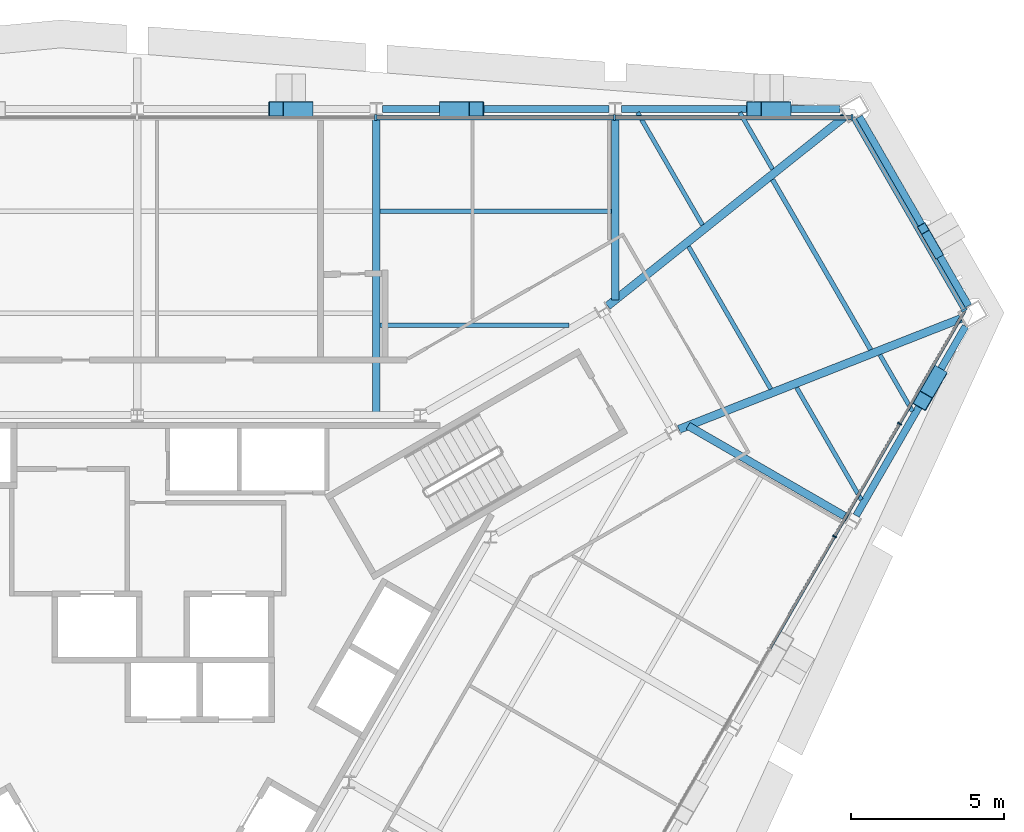
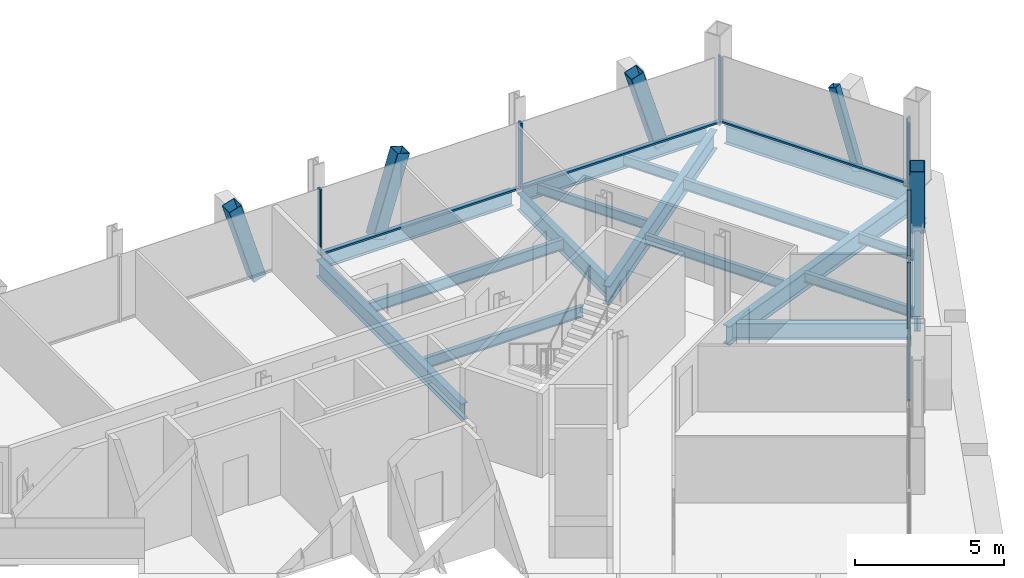
# One storey, part 10 of 17: 17 beams, 17 members, 3 elements without a shape of their own.
"""IFC4 building model written with IfcOpenShell, lengths in metres."""

from ifc_helpers import new_model, si_unit, direction, frame, origin, origin_2d, place, context, subcontext, project, spatial, rectangle, hollow_rectangle, i_section, extrude, material, material_profile, profile_set, type_object, element, aggregate, save


model = new_model("IFC4")

# Units and contexts
model_context = context("Model", 3, precision=1e-05, world=origin(), true_north=direction((0.0, 1.0)))
body_context = subcontext(model_context, "Body", "Model", "MODEL_VIEW")
ifc_project = project(units=[si_unit("LENGTHUNIT", "METRE"), si_unit("AREAUNIT", "SQUARE_METRE"), si_unit("VOLUMEUNIT", "CUBIC_METRE"), si_unit("PLANEANGLEUNIT", "RADIAN"), si_unit("MASSUNIT", "GRAM", prefix="KILO")], contexts=[model_context])

# Site, building, storey
site_placement = place(None, origin())
site = spatial("IfcSite", under=ifc_project, at=site_placement, CompositionType="ELEMENT")
building_placement = place(site_placement, origin())
building = spatial("IfcBuilding", under=site, at=building_placement, Name="Verrane Prism Tower", CompositionType="ELEMENT")
storey_placement = place(building_placement, frame((0.0, 0.0, 182.10009765625)))
storey = spatial("IfcBuildingStorey", under=building, at=storey_placement, Name="L45", CompositionType="ELEMENT", Elevation=182.10009765625)

# Member
ifc_material_1 = material(Name="Steel A500 Grade C", Category="steel")
ifc_material_profile_1 = material_profile(ifc_material_1, hollow_rectangle(XDim=0.3046875, YDim=0.3046875, WallThickness=0.0126953125, InnerFilletRadius=0.00634765625, OuterFilletRadius=0.01904296875, at=origin_2d()), Name="HSS12x12x1/2")
ifc_profile_set_1 = profile_set([ifc_material_profile_1], Name="Steel A500 Grade C")
member_type_1 = type_object("IfcMemberType", Name="Chamfer brace HSS12x12x1/2", PredefinedType="BRACE", material=ifc_profile_set_1)
member_1_placement = place(storey_placement, frame((26.170166015625, 13.30078125, -0.24267578125), z_axis=(-0.143220331286, 0.24790739425, 0.958138748085), x_axis=(-0.865887845823, -0.500238181725, 0.0)))
element("IfcMember", 1, at=member_1_placement, inside=storey, type_object=member_type_1, Name="Chamfer brace NE0 L45", PredefinedType="BRACE", context=body_context, shape_type="SweptSolid", body=[
    extrude(hollow_rectangle(XDim=0.3046875, YDim=0.3046875, WallThickness=0.0126953125, InnerFilletRadius=0.00634765625, OuterFilletRadius=0.01904296875, at=origin_2d()), origin(), (0.0, 0.0, 1.0), 3.243896484375),
])

# Beams
ifc_material_2 = material(Name="Steel A992", Category="steel")
ifc_material_profile_2 = material_profile(ifc_material_2, i_section(OverallWidth=0.2666015625, OverallDepth=0.7568359375, WebThickness=0.013916015625, FlangeThickness=0.019287109375, FilletRadius=0.0166015625, at=origin_2d()), Name="W30x108")
ifc_profile_set_2 = profile_set([ifc_material_profile_2], Name="Steel A992")
beam_type_1 = type_object("IfcBeamType", Name="Chamfer spandrel beam W30x108", PredefinedType="SPANDREL", material=ifc_profile_set_2)
beam_1_placement = place(storey_placement, frame((27.169921875, 11.56982421875, -0.53857421875), z_axis=(-0.500163614961, 0.865930920033, 0.0), x_axis=(-0.865930920033, -0.500163614961, 0.0)))
element("IfcBeam", 2, at=beam_1_placement, inside=storey, type_object=beam_type_1, Name="Chamfer spandrel beam L45", PredefinedType="SPANDREL", context=body_context, shape_type="SweptSolid", body=[
    extrude(i_section(OverallWidth=0.2666015625, OverallDepth=0.7568359375, WebThickness=0.013916015625, FlangeThickness=0.019287109375, FilletRadius=0.0166015625, at=origin_2d()), origin(), (0.0, 0.0, 1.0), 7.13720703125),
])
ifc_material_3 = material(Name="Steel A992", Category="steel")
ifc_material_profile_3 = material_profile(ifc_material_3, i_section(OverallWidth=0.2666015625, OverallDepth=0.76708984375, WebThickness=0.014892578125, FlangeThickness=0.023681640625, FilletRadius=0.0166015625, at=origin_2d()), Name="W30x124")
ifc_profile_set_3 = profile_set([ifc_material_profile_3], Name="Steel A992")
beam_type_2 = type_object("IfcBeamType", Name="Corner girder W30x124", PredefinedType="BEAM", material=ifc_profile_set_3)
beam_2_placement = place(storey_placement, frame((26.943603515625, 11.162109375, -0.603515625), z_axis=(-0.930755085218, -0.365643229583, 0.0), x_axis=(0.365643229583, -0.930755085218, 0.0)))
element("IfcBeam", 3, at=beam_2_placement, inside=storey, type_object=beam_type_2, Name="Corner girder L45", PredefinedType="BEAM", context=body_context, shape_type="SweptSolid", body=[
    extrude(i_section(OverallWidth=0.2666015625, OverallDepth=0.76708984375, WebThickness=0.014892578125, FlangeThickness=0.023681640625, FilletRadius=0.0166015625, at=origin_2d()), origin(), (0.0, 0.0, 1.0), 9.9140625),
])
beam_3_placement = place(storey_placement, frame((23.1337890625, 17.757568359375, -0.603515625), z_axis=(-0.781514558867, -0.623887004415, 0.0), x_axis=(0.623887004415, -0.781514558867, 0.0)))
element("IfcBeam", 4, at=beam_3_placement, inside=storey, type_object=beam_type_2, Name="Corner girder L45", PredefinedType="BEAM", context=body_context, shape_type="SweptSolid", body=[
    extrude(i_section(OverallWidth=0.2666015625, OverallDepth=0.76708984375, WebThickness=0.014892578125, FlangeThickness=0.023681640625, FilletRadius=0.0166015625, at=origin_2d()), origin(), (0.0, 0.0, 1.0), 9.915771484375),
])

# Members
ifc_material_4 = material(Name="Steel A500 Grade C", Category="steel")
ifc_material_profile_4 = material_profile(ifc_material_4, hollow_rectangle(XDim=0.508056640625, YDim=0.508056640625, WallThickness=0.01904296875, InnerFilletRadius=0.009521484375, OuterFilletRadius=0.028564453125, at=origin_2d()), Name="HSS20x20x3/4")
ifc_profile_set_4 = profile_set([ifc_material_profile_4], Name="Steel A500 Grade C")
member_type_2 = type_object("IfcMemberType", Name="Facade brace HSS20x20x3/4", PredefinedType="BRACE", material=ifc_profile_set_4)
member_2_placement = place(storey_placement, frame((21.1396484375, 18.010009765625, -0.216796875), z_axis=(-0.289051375374, 0.0, 0.957313586237), x_axis=(0.0, -1.0, 0.0)))
element("IfcMember", 5, at=member_2_placement, inside=storey, type_object=member_type_2, Name="Facade brace N0 L45", PredefinedType="BRACE", context=body_context, shape_type="SweptSolid", body=[
    extrude(hollow_rectangle(XDim=0.508056640625, YDim=0.508056640625, WallThickness=0.01904296875, InnerFilletRadius=0.009521484375, OuterFilletRadius=0.028564453125, at=origin_2d()), origin(), (0.0, 0.0, 1.0), 3.3388671875),
])
member_3_placement = place(storey_placement, frame((10.12744140625, 18.010009765625, -0.216796875), z_axis=(0.288716259117, 0.0, 0.957414707283), x_axis=(0.0, 1.0, 0.0)))
element("IfcMember", 6, at=member_3_placement, inside=storey, type_object=member_type_2, Name="Facade brace N1 L45", PredefinedType="BRACE", context=body_context, shape_type="SweptSolid", body=[
    extrude(hollow_rectangle(XDim=0.508056640625, YDim=0.508056640625, WallThickness=0.01904296875, InnerFilletRadius=0.009521484375, OuterFilletRadius=0.028564453125, at=origin_2d()), origin(), (0.0, 0.0, 1.0), 3.33837890625),
])
member_4_placement = place(storey_placement, frame((5.509765625, 18.010009765625, -0.216796875), z_axis=(-0.289051375374, 0.0, 0.957313586237), x_axis=(0.0, -1.0, 0.0)))
element("IfcMember", 7, at=member_4_placement, inside=storey, type_object=member_type_2, Name="Facade brace N2 L45", PredefinedType="BRACE", context=body_context, shape_type="SweptSolid", body=[
    extrude(hollow_rectangle(XDim=0.508056640625, YDim=0.508056640625, WallThickness=0.01904296875, InnerFilletRadius=0.009521484375, OuterFilletRadius=0.028564453125, at=origin_2d()), origin(), (0.0, 0.0, 1.0), 3.3388671875),
])
member_5_placement = place(storey_placement, frame((26.164794921875, 9.309814453125, -0.216796875), z_axis=(-0.144493588021, -0.250231304762, 0.957343144927), x_axis=(0.865991719008, -0.500058339205, 0.0)))
element("IfcMember", 8, at=member_5_placement, inside=storey, type_object=member_type_2, Name="Facade brace SE5 L45", PredefinedType="BRACE", context=body_context, shape_type="SweptSolid", body=[
    extrude(hollow_rectangle(XDim=0.508056640625, YDim=0.508056640625, WallThickness=0.01904296875, InnerFilletRadius=0.009521484375, OuterFilletRadius=0.028564453125, at=origin_2d()), origin(), (0.0, 0.0, 1.0), 3.338623046875),
])

# Beams
ifc_material_5 = material(Name="Steel A992", Category="steel")
ifc_material_profile_5 = material_profile(ifc_material_5, i_section(OverallWidth=0.140380859375, OverallDepth=0.40380859375, WebThickness=0.007080078125, FlangeThickness=0.01123046875, FilletRadius=0.01025390625, at=origin_2d()), Name="W16x31")
ifc_profile_set_5 = profile_set([ifc_material_profile_5], Name="Steel A992")
beam_type_3 = type_object("IfcBeamType", Name="Floor beam W16x31", PredefinedType="BEAM", material=ifc_profile_set_5)
beam_4_placement = place(storey_placement, frame((20.77587890625, 16.046875, -0.362060546875), z_axis=(-0.500039335303, 0.866002692346, 0.0), x_axis=(-0.866002692346, -0.500039335303, 0.0)))
element("IfcBeam", 9, at=beam_4_placement, inside=storey, type_object=beam_type_3, Name="Floor beam L45", PredefinedType="BEAM", context=body_context, shape_type="SweptSolid", body=[
    extrude(i_section(OverallWidth=0.140380859375, OverallDepth=0.40380859375, WebThickness=0.007080078125, FlangeThickness=0.01123046875, FilletRadius=0.01025390625, at=origin_2d()), origin(), (0.0, 0.0, 1.0), 2.134033203125),
])
beam_5_placement = place(storey_placement, frame((18.4853515625, 14.21923828125, -0.362060546875), z_axis=(-0.49997473417, 0.866039990527, 0.0), x_axis=(-0.866039990527, -0.49997473417, 0.0)))
element("IfcBeam", 10, at=beam_5_placement, inside=storey, type_object=beam_type_3, Name="Floor beam L45", PredefinedType="BEAM", context=body_context, shape_type="SweptSolid", body=[
    extrude(i_section(OverallWidth=0.140380859375, OverallDepth=0.40380859375, WebThickness=0.007080078125, FlangeThickness=0.01123046875, FilletRadius=0.01025390625, at=origin_2d()), origin(), (0.0, 0.0, 1.0), 4.244384765625),
])
beam_6_placement = place(storey_placement, frame((25.35107421875, 8.130859375, -0.362060546875), z_axis=(-0.499941024108, 0.866059450854, 0.0), x_axis=(-0.866059450854, -0.499941024108, 0.0)))
element("IfcBeam", 11, at=beam_6_placement, inside=storey, type_object=beam_type_3, Name="Floor beam L45", PredefinedType="BEAM", context=body_context, shape_type="SweptSolid", body=[
    extrude(i_section(OverallWidth=0.140380859375, OverallDepth=0.40380859375, WebThickness=0.007080078125, FlangeThickness=0.01123046875, FilletRadius=0.01025390625, at=origin_2d()), origin(), (0.0, 0.0, 1.0), 2.127197265625),
])
beam_7_placement = place(storey_placement, frame((23.6796875, 5.23681640625, -0.362060546875), z_axis=(-0.500023792618, 0.866011666674, 0.0), x_axis=(-0.866011666674, -0.500023792618, 0.0)))
element("IfcBeam", 12, at=beam_7_placement, inside=storey, type_object=beam_type_3, Name="Floor beam L45", PredefinedType="BEAM", context=body_context, shape_type="SweptSolid", body=[
    extrude(i_section(OverallWidth=0.140380859375, OverallDepth=0.40380859375, WebThickness=0.007080078125, FlangeThickness=0.01123046875, FilletRadius=0.01025390625, at=origin_2d()), origin(), (0.0, 0.0, 1.0), 4.231201171875),
])
beam_8_placement = place(storey_placement, frame((20.72021484375, 8.856201171875, -0.362060546875), z_axis=(-0.500019726309, 0.866014014495, 0.0), x_axis=(-0.866014014495, -0.500019726309, 0.0)))
element("IfcBeam", 13, at=beam_8_placement, inside=storey, type_object=beam_type_3, Name="Floor beam L45", PredefinedType="BEAM", context=body_context, shape_type="SweptSolid", body=[
    extrude(i_section(OverallWidth=0.140380859375, OverallDepth=0.40380859375, WebThickness=0.007080078125, FlangeThickness=0.01123046875, FilletRadius=0.01025390625, at=origin_2d()), origin(), (0.0, 0.0, 1.0), 5.379150390625),
])
ifc_material_6 = material(Name="Steel A992", Category="steel")
ifc_material_profile_6 = material_profile(ifc_material_6, i_section(OverallWidth=0.15234375, OverallDepth=0.449462890625, WebThickness=0.007568359375, FlangeThickness=0.0107421875, FilletRadius=0.01025390625, at=origin_2d()), Name="W18x35")
ifc_profile_set_6 = profile_set([ifc_material_profile_6], Name="Steel A992")
beam_type_4 = type_object("IfcBeamType", Name="Floor beam W18x35", PredefinedType="BEAM", material=ifc_profile_set_6)
beam_9_placement = place(storey_placement, frame((7.947021484375, 10.936767578125, -0.385009765625), z_axis=(1.0, 0.0, 0.0), x_axis=(0.0, 1.0, 0.0)))
element("IfcBeam", 14, at=beam_9_placement, inside=storey, type_object=beam_type_4, Name="Floor beam L45", PredefinedType="BEAM", context=body_context, shape_type="SweptSolid", body=[
    extrude(i_section(OverallWidth=0.15234375, OverallDepth=0.449462890625, WebThickness=0.007568359375, FlangeThickness=0.0107421875, FilletRadius=0.01025390625, at=origin_2d()), origin(), (0.0, 0.0, 1.0), 6.1708984375),
])
beam_10_placement = place(storey_placement, frame((7.947021484375, 14.67333984375, -0.385009765625), z_axis=(1.0, 0.0, 0.0), x_axis=(0.0, 1.0, 0.0)))
element("IfcBeam", 15, at=beam_10_placement, inside=storey, type_object=beam_type_4, Name="Floor beam L45", PredefinedType="BEAM", context=body_context, shape_type="SweptSolid", body=[
    extrude(i_section(OverallWidth=0.15234375, OverallDepth=0.449462890625, WebThickness=0.007568359375, FlangeThickness=0.0107421875, FilletRadius=0.01025390625, at=origin_2d()), origin(), (0.0, 0.0, 1.0), 7.555908203125),
])
beam_11_placement = place(storey_placement, frame((23.986328125, 10.1416015625, -0.385009765625), z_axis=(-0.500002112793, 0.866024183959, 0.0), x_axis=(-0.866024183959, -0.500002112793, 0.0)))
element("IfcBeam", 16, at=beam_11_placement, inside=storey, type_object=beam_type_4, Name="Floor beam L45", PredefinedType="BEAM", context=body_context, shape_type="SweptSolid", body=[
    extrude(i_section(OverallWidth=0.15234375, OverallDepth=0.449462890625, WebThickness=0.007568359375, FlangeThickness=0.0107421875, FilletRadius=0.01025390625, at=origin_2d()), origin(), (0.0, 0.0, 1.0), 6.42333984375),
])

# Curtain wall, members
ifc_material_7 = material(Name="Aluminium framed insulated glazing", Category="aluminium")
curtain_wall_type_1 = type_object("IfcCurtainWallType", Name="Curtain wall CW-C 4200 module", PredefinedType="NOTDEFINED", material=ifc_material_7)
curtain_wall_1_placement = place(storey_placement, origin())
curtain_wall_1 = element("IfcCurtainWall", 17, at=curtain_wall_1_placement, inside=storey, type_object=curtain_wall_type_1, Name="Glazed curtain wall south-east face L45", PredefinedType="NOTDEFINED")
ifc_material_8 = material(Name="Aluminium alloy 6063-T6", Category="aluminium")
ifc_material_profile_7 = material_profile(ifc_material_8, rectangle(XDim=0.139892578125, YDim=0.050048828125, at=origin_2d()), Name="Mullion 50x140 aluminium")
ifc_profile_set_7 = profile_set([ifc_material_profile_7], Name="Aluminium alloy 6063-T6")
member_type_3 = type_object("IfcMemberType", Name="Mullion 50x140 aluminium", PredefinedType="MULLION", material=ifc_profile_set_7)
member_6_placement = place(storey_placement, frame((22.8037109375, 4.03515625, 0.0), z_axis=(0.0, 0.0, 1.0), x_axis=(-0.866025734201, 0.499999427701, 0.0)))
member_6 = element("IfcMember", 18, at=member_6_placement, type_object=member_type_3, Name="CW44.6 mullion 10", PredefinedType="MULLION", context=body_context, shape_type="SweptSolid", body=[
    extrude(rectangle(XDim=0.139892578125, YDim=0.050048828125, at=origin_2d()), origin(), (0.0, 0.0, 1.0), 2.712890625),
])
member_7_placement = place(storey_placement, frame((24.931640625, 7.720947265625, 0.0), z_axis=(0.0, 0.0, 1.0), x_axis=(-0.866025734201, 0.499999427701, 0.0)))
member_7 = element("IfcMember", 19, at=member_7_placement, type_object=member_type_3, Name="CW44.6 mullion 11", PredefinedType="MULLION", context=body_context, shape_type="SweptSolid", body=[
    extrude(rectangle(XDim=0.139892578125, YDim=0.050048828125, at=origin_2d()), origin(), (0.0, 0.0, 1.0), 2.712890625),
])

# Curtain wall, member
ifc_material_9 = material(Name="Aluminium framed insulated glazing", Category="aluminium")
curtain_wall_type_2 = type_object("IfcCurtainWallType", Name="Curtain wall CW-A 8400 module", PredefinedType="NOTDEFINED", material=ifc_material_9)
curtain_wall_2_placement = place(storey_placement, origin())
curtain_wall_2 = element("IfcCurtainWall", 20, at=curtain_wall_2_placement, inside=storey, type_object=curtain_wall_type_2, Name="Glazed curtain wall north-east corner L45", PredefinedType="NOTDEFINED")
ifc_material_10 = material(Name="Aluminium alloy 6063-T6", Category="aluminium")
ifc_material_profile_8 = material_profile(ifc_material_10, rectangle(XDim=0.199951171875, YDim=0.070068359375, at=origin_2d()), Name="Mullion 70x200 aluminium")
ifc_profile_set_8 = profile_set([ifc_material_profile_8], Name="Aluminium alloy 6063-T6")
member_type_4 = type_object("IfcMemberType", Name="Mullion 70x200 aluminium", PredefinedType="MULLION", material=ifc_profile_set_8)
member_8_placement = place(storey_placement, frame((27.042236328125, 11.43701171875, 0.0), z_axis=(0.0, 0.0, 1.0), x_axis=(-0.866024133208, -0.500002200696, 0.0)))
member_8 = element("IfcMember", 21, at=member_8_placement, type_object=member_type_4, Name="CW44.1 mullion 1", PredefinedType="MULLION", context=body_context, shape_type="SweptSolid", body=[
    extrude(rectangle(XDim=0.199951171875, YDim=0.070068359375, at=origin_2d()), origin(), (0.0, 0.0, 1.0), 2.712890625),
])

# Curtain wall, members
curtain_wall_3_placement = place(storey_placement, origin())
curtain_wall_3 = element("IfcCurtainWall", 22, at=curtain_wall_3_placement, inside=storey, type_object=curtain_wall_type_2, Name="Glazed curtain wall north face L45", PredefinedType="NOTDEFINED")
member_9_placement = place(storey_placement, frame((23.373291015625, 17.73095703125, 0.0), z_axis=(0.0, 0.0, 1.0), x_axis=(0.0, -1.0, 0.0)))
member_9 = element("IfcMember", 23, at=member_9_placement, type_object=member_type_4, Name="CW44.2 mullion 1", PredefinedType="MULLION", context=body_context, shape_type="SweptSolid", body=[
    extrude(rectangle(XDim=0.199951171875, YDim=0.070068359375, at=origin_2d()), origin(), (0.0, 0.0, 1.0), 2.712890625),
])
member_10_placement = place(storey_placement, frame((15.605712890625, 17.73095703125, 0.0), z_axis=(0.0, 0.0, 1.0), x_axis=(0.0, -1.0, 0.0)))
member_10 = element("IfcMember", 24, at=member_10_placement, type_object=member_type_4, Name="CW44.2 mullion 2", PredefinedType="MULLION", context=body_context, shape_type="SweptSolid", body=[
    extrude(rectangle(XDim=0.199951171875, YDim=0.070068359375, at=origin_2d()), origin(), (0.0, 0.0, 1.0), 2.712890625),
])
member_11_placement = place(storey_placement, frame((7.802734375, 17.73095703125, 0.0), z_axis=(0.0, 0.0, 1.0), x_axis=(0.0, -1.0, 0.0)))
member_11 = element("IfcMember", 25, at=member_11_placement, type_object=member_type_4, Name="CW44.2 mullion 3", PredefinedType="MULLION", context=body_context, shape_type="SweptSolid", body=[
    extrude(rectangle(XDim=0.199951171875, YDim=0.070068359375, at=origin_2d()), origin(), (0.0, 0.0, 1.0), 2.712890625),
])

# Beams
ifc_material_11 = material(Name="Steel A992", Category="steel")
ifc_material_profile_9 = material_profile(ifc_material_11, i_section(OverallWidth=0.25390625, OverallDepth=0.683349609375, WebThickness=0.012451171875, FlangeThickness=0.01904296875, FilletRadius=0.01513671875, at=origin_2d()), Name="W27x94")
ifc_profile_set_9 = profile_set([ifc_material_profile_9], Name="Steel A992")
beam_type_5 = type_object("IfcBeamType", Name="Radial girder W27x94", PredefinedType="BEAM", material=ifc_profile_set_9)
beam_12_placement = place(storey_placement, frame((15.6298828125, 17.8017578125, -0.561767578125), z_axis=(0.0, -1.0, 0.0), x_axis=(1.0, 0.0, 0.0)))
element("IfcBeam", 26, at=beam_12_placement, inside=storey, type_object=beam_type_5, Name="Radial girder L45", PredefinedType="BEAM", context=body_context, shape_type="SweptSolid", body=[
    extrude(i_section(OverallWidth=0.25390625, OverallDepth=0.683349609375, WebThickness=0.012451171875, FlangeThickness=0.01904296875, FilletRadius=0.01513671875, at=origin_2d()), origin(), (0.0, 0.0, 1.0), 6.034423828125),
])
beam_13_placement = place(storey_placement, frame((7.820068359375, 17.8017578125, -0.561767578125), z_axis=(0.0, -1.0, 0.0), x_axis=(1.0, 0.0, 0.0)))
element("IfcBeam", 27, at=beam_13_placement, inside=storey, type_object=beam_type_5, Name="Radial girder L45", PredefinedType="BEAM", context=body_context, shape_type="SweptSolid", body=[
    extrude(i_section(OverallWidth=0.25390625, OverallDepth=0.683349609375, WebThickness=0.012451171875, FlangeThickness=0.01904296875, FilletRadius=0.01513671875, at=origin_2d()), origin(), (0.0, 0.0, 1.0), 9.8017578125),
])
beam_14_placement = place(storey_placement, frame((23.2294921875, 4.64404296875, -0.561767578125), z_axis=(-0.866016092368, 0.500016127499, 0.0), x_axis=(-0.500016127499, -0.866016092368, 0.0)))
element("IfcBeam", 28, at=beam_14_placement, inside=storey, type_object=beam_type_5, Name="Radial girder L45", PredefinedType="BEAM", context=body_context, shape_type="SweptSolid", body=[
    extrude(i_section(OverallWidth=0.25390625, OverallDepth=0.683349609375, WebThickness=0.012451171875, FlangeThickness=0.01904296875, FilletRadius=0.01513671875, at=origin_2d()), origin(), (0.0, 0.0, 1.0), 6.020751953125),
])
ifc_material_12 = material(Name="Steel A992", Category="steel")
ifc_material_profile_10 = material_profile(ifc_material_12, i_section(OverallWidth=0.23046875, OverallDepth=0.6171875, WebThickness=0.01318359375, FlangeThickness=0.022216796875, FilletRadius=0.012939453125, at=origin_2d()), Name="W24x94")
ifc_profile_set_10 = profile_set([ifc_material_profile_10], Name="Steel A992")
beam_type_6 = type_object("IfcBeamType", Name="Spandrel beam W24x94", PredefinedType="SPANDREL", material=ifc_profile_set_10)
beam_15_placement = place(storey_placement, frame((22.988037109375, 18.010009765625, -0.46875), z_axis=(-1.0, 0.0, 0.0), x_axis=(0.0, -1.0, 0.0)))
element("IfcBeam", 29, at=beam_15_placement, inside=storey, type_object=beam_type_6, Name="Spandrel beam L45", PredefinedType="SPANDREL", context=body_context, shape_type="SweptSolid", body=[
    extrude(i_section(OverallWidth=0.23046875, OverallDepth=0.6171875, WebThickness=0.01318359375, FlangeThickness=0.022216796875, FilletRadius=0.012939453125, at=origin_2d()), origin(), (0.0, 0.0, 1.0), 7.15478515625),
])
beam_16_placement = place(storey_placement, frame((15.4267578125, 18.010009765625, -0.46875), z_axis=(-1.0, 0.0, 0.0), x_axis=(0.0, -1.0, 0.0)))
element("IfcBeam", 30, at=beam_16_placement, inside=storey, type_object=beam_type_6, Name="Spandrel beam L45", PredefinedType="SPANDREL", context=body_context, shape_type="SweptSolid", body=[
    extrude(i_section(OverallWidth=0.23046875, OverallDepth=0.6171875, WebThickness=0.01318359375, FlangeThickness=0.022216796875, FilletRadius=0.012939453125, at=origin_2d()), origin(), (0.0, 0.0, 1.0), 7.403564453125),
])
beam_17_placement = place(storey_placement, frame((23.51171875, 4.716064453125, -0.46875), z_axis=(0.500129173379, 0.865950812653, 0.0), x_axis=(-0.865950812653, 0.500129173379, 0.0)))
element("IfcBeam", 31, at=beam_17_placement, inside=storey, type_object=beam_type_6, Name="Spandrel beam L45", PredefinedType="SPANDREL", context=body_context, shape_type="SweptSolid", body=[
    extrude(i_section(OverallWidth=0.23046875, OverallDepth=0.6171875, WebThickness=0.01318359375, FlangeThickness=0.022216796875, FilletRadius=0.012939453125, at=origin_2d()), origin(), (0.0, 0.0, 1.0), 7.15283203125),
])

# Member
ifc_material_13 = material(Name="Aluminium alloy 6063-T6", Category="aluminium")
ifc_material_profile_11 = material_profile(ifc_material_13, rectangle(XDim=0.10009765625, YDim=0.050048828125, at=origin_2d()), Name="Transom 50x100 aluminium")
ifc_profile_set_11 = profile_set([ifc_material_profile_11], Name="Aluminium alloy 6063-T6")
member_type_5 = type_object("IfcMemberType", Name="Transom 50x100 aluminium", PredefinedType="USERDEFINED", material=ifc_profile_set_11)
member_12_placement = place(storey_placement, frame((20.68798828125, 0.370849609375, 0.02490234375), z_axis=(0.499997126074, 0.86602706304, 0.0), x_axis=(-0.86602706304, 0.499997126074, 0.0)))
member_12 = element("IfcMember", 32, at=member_12_placement, type_object=member_type_5, Name="CW44.6 transom 9", ObjectType="TRANSOM", PredefinedType="USERDEFINED", context=body_context, shape_type="SweptSolid", body=[
    extrude(rectangle(XDim=0.10009765625, YDim=0.050048828125, at=origin_2d()), origin(), (0.0, 0.0, 1.0), 4.2060546875),
])

member_13_placement = place(storey_placement, frame((22.816162109375, 4.056640625, 0.02490234375), z_axis=(0.499997126074, 0.86602706304, 0.0), x_axis=(-0.86602706304, 0.499997126074, 0.0)))
member_13 = element("IfcMember", 33, at=member_13_placement, type_object=member_type_5, Name="CW44.6 transom 10", ObjectType="TRANSOM", PredefinedType="USERDEFINED", context=body_context, shape_type="SweptSolid", body=[
    extrude(rectangle(XDim=0.10009765625, YDim=0.050048828125, at=origin_2d()), origin(), (0.0, 0.0, 1.0), 4.2060546875),
])

member_14_placement = place(storey_placement, frame((24.944091796875, 7.74267578125, 0.02490234375), z_axis=(0.500048779063, 0.865997239347, 0.0), x_axis=(-0.865997239347, 0.500048779063, 0.0)))
member_14 = element("IfcMember", 34, at=member_14_placement, type_object=member_type_5, Name="CW44.6 transom 11", ObjectType="TRANSOM", PredefinedType="USERDEFINED", context=body_context, shape_type="SweptSolid", body=[
    extrude(rectangle(XDim=0.10009765625, YDim=0.050048828125, at=origin_2d()), origin(), (0.0, 0.0, 1.0), 4.23095703125),
])

aggregate(curtain_wall_1, [member_6, member_7, member_12, member_13, member_14])

ifc_material_14 = material(Name="Aluminium alloy 6063-T6", Category="aluminium")
ifc_material_profile_12 = material_profile(ifc_material_14, rectangle(XDim=0.14990234375, YDim=0.070068359375, at=origin_2d()), Name="Transom 70x150 aluminium")
ifc_profile_set_12 = profile_set([ifc_material_profile_12], Name="Aluminium alloy 6063-T6")
member_type_6 = type_object("IfcMemberType", Name="Transom 70x150 aluminium", PredefinedType="USERDEFINED", material=ifc_profile_set_12)
member_15_placement = place(storey_placement, frame((27.024658203125, 11.467529296875, 0.034912109375), z_axis=(-0.500001996123, 0.866024251319, 0.0), x_axis=(-0.866024251319, -0.500001996123, 0.0)))
member_15 = element("IfcMember", 35, at=member_15_placement, type_object=member_type_6, Name="CW44.1 transom 1", ObjectType="TRANSOM", PredefinedType="USERDEFINED", context=body_context, shape_type="SweptSolid", body=[
    extrude(rectangle(XDim=0.14990234375, YDim=0.070068359375, at=origin_2d()), origin(), (0.0, 0.0, 1.0), 7.232421875),
])

aggregate(curtain_wall_2, [member_8, member_15])

member_16_placement = place(storey_placement, frame((23.33837890625, 17.73095703125, 0.034912109375), z_axis=(-1.0, 0.0, 0.0), x_axis=(0.0, -1.0, 0.0)))
member_16 = element("IfcMember", 36, at=member_16_placement, type_object=member_type_6, Name="CW44.2 transom 1", ObjectType="TRANSOM", PredefinedType="USERDEFINED", context=body_context, shape_type="SweptSolid", body=[
    extrude(rectangle(XDim=0.14990234375, YDim=0.070068359375, at=origin_2d()), origin(), (0.0, 0.0, 1.0), 7.69775390625),
])

member_17_placement = place(storey_placement, frame((15.570556640625, 17.73095703125, 0.034912109375), z_axis=(-1.0, 0.0, 0.0), x_axis=(0.0, -1.0, 0.0)))
member_17 = element("IfcMember", 37, at=member_17_placement, type_object=member_type_6, Name="CW44.2 transom 2", ObjectType="TRANSOM", PredefinedType="USERDEFINED", context=body_context, shape_type="SweptSolid", body=[
    extrude(rectangle(XDim=0.14990234375, YDim=0.070068359375, at=origin_2d()), origin(), (0.0, 0.0, 1.0), 7.732666015625),
])

aggregate(curtain_wall_3, [member_9, member_10, member_11, member_16, member_17])

save(model, "model.ifc")
